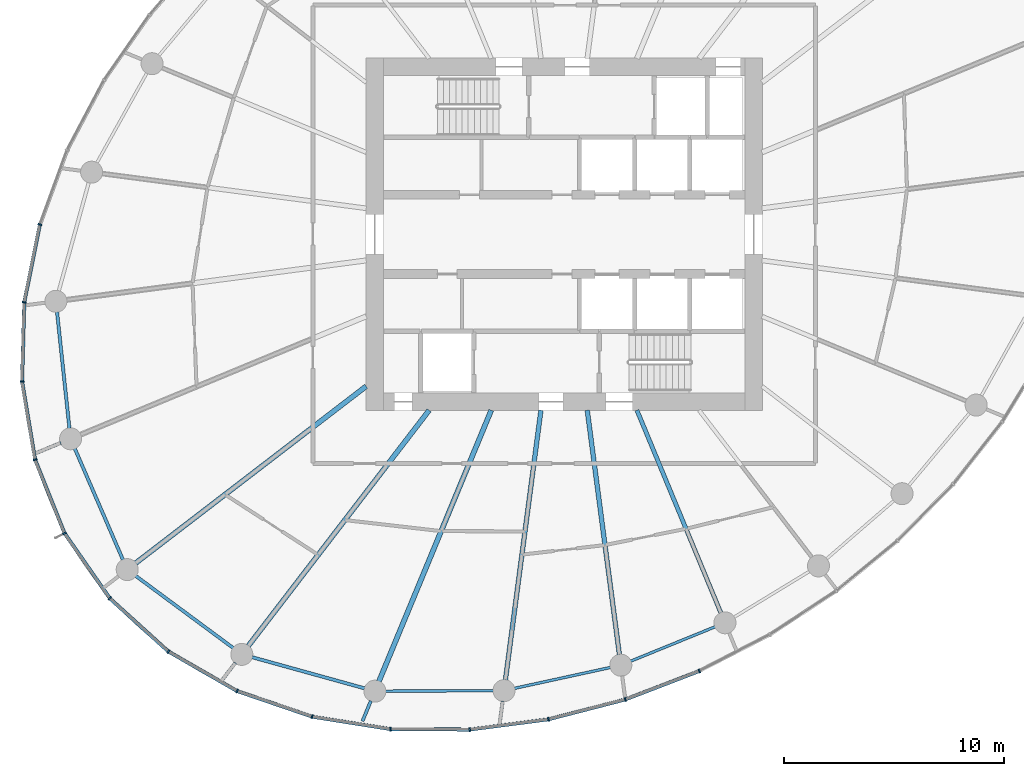
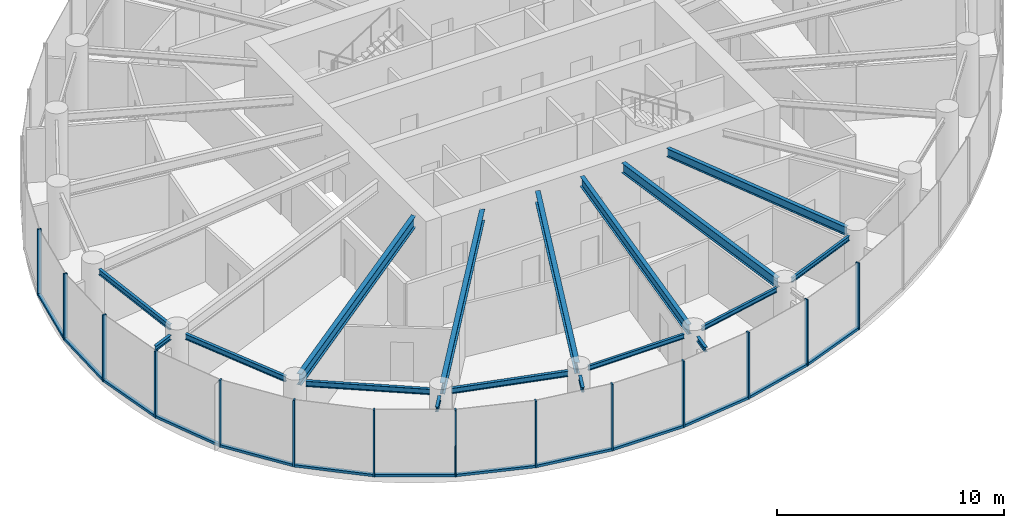
# One storey, part 2 of 14: 27 members, 17 beams, 3 elements without a shape of their own.
"""IFC4 building model written with IfcOpenShell, lengths in metres."""

from ifc_helpers import new_model, si_unit, direction, frame, origin, origin_2d, place, context, subcontext, project, spatial, rectangle, i_section, extrude, source, transform, mapped, material, layer, layer_set, material_profile, profile_set, type_object, element, aggregate, save


model = new_model("IFC4")

# Units and contexts
model_context = context("Model", 3, precision=1e-05, world=origin(), true_north=direction((0.0, 1.0)))
body_context = subcontext(model_context, "Body", "Model", "MODEL_VIEW")
ifc_project = project(units=[si_unit("LENGTHUNIT", "METRE"), si_unit("AREAUNIT", "SQUARE_METRE"), si_unit("VOLUMEUNIT", "CUBIC_METRE"), si_unit("PLANEANGLEUNIT", "RADIAN"), si_unit("MASSUNIT", "GRAM", prefix="KILO")], contexts=[model_context])

# Site, building, storey
site_placement = place(None, origin())
site = spatial("IfcSite", under=ifc_project, at=site_placement, CompositionType="ELEMENT")
building_placement = place(site_placement, origin())
building = spatial("IfcBuilding", under=site, at=building_placement, Name="Spindrift Exchange Tower", CompositionType="ELEMENT")
storey_placement = place(building_placement, frame((0.0, 0.0, 152.60009765625)))
storey = spatial("IfcBuildingStorey", under=building, at=storey_placement, Name="L36", CompositionType="ELEMENT", Elevation=152.60009765625)

# Beams
ifc_material_1 = material(Name="Steel Grade 300", Category="steel")
ifc_material_profile_1 = material_profile(ifc_material_1, i_section(OverallWidth=0.14599609375, OverallDepth=0.251953125, WebThickness=0.006103515625, FlangeThickness=0.008544921875, FilletRadius=0.011962890625, at=origin_2d()), Name="250UB31.4")
ifc_profile_set_1 = profile_set([ifc_material_profile_1], Name="Steel Grade 300")
beam_type_1 = type_object("IfcBeamType", Name="Cantilever Beam 250UB31.4 Steel Grade 300", PredefinedType="BEAM", material=ifc_profile_set_1)
shared_shape_1 = source(origin(), body_context, "Body", "SweptSolid", [
    extrude(i_section(OverallWidth=0.14599609375, OverallDepth=0.251953125, WebThickness=0.006103515625, FlangeThickness=0.008544921875, FilletRadius=0.011962890625, at=origin_2d()), origin(), (0.0, 0.0, 1.0), 0.92138671875),
])
beam_1_placement = place(storey_placement, frame((37.0830078125, 28.559814453125, 3.453857421875), z_axis=(-0.60869854627, -0.793401587955, 0.0), x_axis=(0.793401587955, -0.60869854627, 0.0)))
element("IfcBeam", 1, at=beam_1_placement, inside=storey, type_object=beam_type_1, Name="L36 cantilever beam R16T", PredefinedType="BEAM", context=body_context, shape_type="MappedRepresentation", body=[
    mapped(shared_shape_1, transform((0.0, 0.0, 0.0), scale=1.0)),
])
ifc_material_profile_2 = material_profile(ifc_material_1, i_section(OverallWidth=0.14892578125, OverallDepth=0.298095703125, WebThickness=0.005615234375, FlangeThickness=0.008056640625, FilletRadius=0.012939453125, at=origin_2d()), Name="310UB32.0")
ifc_profile_set_2 = profile_set([ifc_material_profile_2], Name="Steel Grade 300")
beam_type_2 = type_object("IfcBeamType", Name="Edge Beam 310UB32.0 Steel Grade 300", PredefinedType="SPANDREL", material=ifc_profile_set_2)
shared_shape_2 = source(origin(), body_context, "Body", "SweptSolid", [
    extrude(i_section(OverallWidth=0.14892578125, OverallDepth=0.298095703125, WebThickness=0.005615234375, FlangeThickness=0.008056640625, FilletRadius=0.012939453125, at=origin_2d()), origin(), (0.0, 0.0, 1.0), 5.31640625),
])
beam_2_placement = place(storey_placement, frame((28.989013671875, 44.486572265625, 3.430908203125), z_axis=(0.10598990948, -0.994367205357, 0.0), x_axis=(0.994367205357, 0.10598990948, 0.0)))
element("IfcBeam", 2, at=beam_2_placement, inside=storey, type_object=beam_type_2, Name="L36 edge beam E13", PredefinedType="SPANDREL", context=body_context, shape_type="MappedRepresentation", body=[
    mapped(shared_shape_2, transform((0.0, 0.0, 0.0), scale=1.0)),
])
shared_shape_3 = source(origin(), body_context, "Body", "SweptSolid", [
    extrude(i_section(OverallWidth=0.14892578125, OverallDepth=0.298095703125, WebThickness=0.005615234375, FlangeThickness=0.008056640625, FilletRadius=0.012939453125, at=origin_2d()), origin(), (0.0, 0.0, 1.0), 5.508544921875),
])
beam_3_placement = place(storey_placement, frame((29.794189453125, 38.282470703125, 3.430908203125), z_axis=(0.397414644433, -0.917639144975, 0.0), x_axis=(0.917639144975, 0.397414644433, 0.0)))
element("IfcBeam", 3, at=beam_3_placement, inside=storey, type_object=beam_type_2, Name="L36 edge beam E14", PredefinedType="SPANDREL", context=body_context, shape_type="MappedRepresentation", body=[
    mapped(shared_shape_3, transform((0.0, 0.0, 0.0), scale=1.0)),
])
shared_shape_4 = source(origin(), body_context, "Body", "SweptSolid", [
    extrude(i_section(OverallWidth=0.14892578125, OverallDepth=0.298095703125, WebThickness=0.005615234375, FlangeThickness=0.008056640625, FilletRadius=0.012939453125, at=origin_2d()), origin(), (0.0, 0.0, 1.0), 5.509033203125),
])
beam_4_placement = place(storey_placement, frame((32.56005859375, 32.501708984375, 3.430908203125), z_axis=(0.803991901791, -0.594640245741, 0.0), x_axis=(0.594640245741, 0.803991901791, 0.0)))
element("IfcBeam", 4, at=beam_4_placement, inside=storey, type_object=beam_type_2, Name="L36 edge beam E15", PredefinedType="SPANDREL", context=body_context, shape_type="MappedRepresentation", body=[
    mapped(shared_shape_4, transform((0.0, 0.0, 0.0), scale=1.0)),
])
shared_shape_5 = source(origin(), body_context, "Body", "SweptSolid", [
    extrude(i_section(OverallWidth=0.14892578125, OverallDepth=0.298095703125, WebThickness=0.005615234375, FlangeThickness=0.008056640625, FilletRadius=0.012939453125, at=origin_2d()), origin(), (0.0, 0.0, 1.0), 5.30517578125),
])
beam_5_placement = place(storey_placement, frame((37.837646484375, 28.8125, 3.430908203125), z_axis=(0.963757513624, -0.26677978734, 0.0), x_axis=(0.26677978734, 0.963757513624, 0.0)))
element("IfcBeam", 5, at=beam_5_placement, inside=storey, type_object=beam_type_2, Name="L36 edge beam E16", PredefinedType="SPANDREL", context=body_context, shape_type="MappedRepresentation", body=[
    mapped(shared_shape_5, transform((0.0, 0.0, 0.0), scale=1.0)),
])
ifc_material_profile_3 = material_profile(ifc_material_1, i_section(OverallWidth=0.1240234375, OverallDepth=0.248046875, WebThickness=0.0048828125, FlangeThickness=0.008056640625, FilletRadius=0.011962890625, at=origin_2d()), Name="250UB25.7")
ifc_profile_set_3 = profile_set([ifc_material_profile_3], Name="Steel Grade 300")
beam_type_3 = type_object("IfcBeamType", Name="Edge Beam 250UB25.7 Steel Grade 300", PredefinedType="SPANDREL", material=ifc_profile_set_3)
shared_shape_6 = source(origin(), body_context, "Body", "SweptSolid", [
    extrude(i_section(OverallWidth=0.1240234375, OverallDepth=0.248046875, WebThickness=0.0048828125, FlangeThickness=0.008056640625, FilletRadius=0.011962890625, at=origin_2d()), origin(), (0.0, 0.0, 1.0), 4.901123046875),
])
beam_6_placement = place(storey_placement, frame((43.89306640625, 27.271240234375, 3.455810546875), z_axis=(0.999990609444, 0.004333707747, 0.0), x_axis=(-0.004333707747, 0.999990609444, 0.0)))
element("IfcBeam", 6, at=beam_6_placement, inside=storey, type_object=beam_type_3, Name="L36 edge beam E17", PredefinedType="SPANDREL", context=body_context, shape_type="MappedRepresentation", body=[
    mapped(shared_shape_6, transform((0.0, 0.0, 0.0), scale=1.0)),
])
shared_shape_7 = source(origin(), body_context, "Body", "SweptSolid", [
    extrude(i_section(OverallWidth=0.1240234375, OverallDepth=0.248046875, WebThickness=0.0048828125, FlangeThickness=0.008056640625, FilletRadius=0.011962890625, at=origin_2d()), origin(), (0.0, 0.0, 1.0), 4.464111328125),
])
beam_7_placement = place(storey_placement, frame((49.7431640625, 27.396728515625, 3.455810546875), z_axis=(0.977095837978, 0.212799726048, 0.0), x_axis=(-0.212799726048, 0.977095837978, 0.0)))
element("IfcBeam", 7, at=beam_7_placement, inside=storey, type_object=beam_type_3, Name="L36 edge beam E18", PredefinedType="SPANDREL", context=body_context, shape_type="MappedRepresentation", body=[
    mapped(shared_shape_7, transform((0.0, 0.0, 0.0), scale=1.0)),
])
shared_shape_8 = source(origin(), body_context, "Body", "SweptSolid", [
    extrude(i_section(OverallWidth=0.1240234375, OverallDepth=0.248046875, WebThickness=0.0048828125, FlangeThickness=0.008056640625, FilletRadius=0.011962890625, at=origin_2d()), origin(), (0.0, 0.0, 1.0), 4.143798828125),
])
beam_8_placement = place(storey_placement, frame((55.0185546875, 28.6298828125, 3.455810546875), z_axis=(0.926113706975, 0.377244485385, 0.0), x_axis=(-0.377244485385, 0.926113706975, 0.0)))
element("IfcBeam", 8, at=beam_8_placement, inside=storey, type_object=beam_type_3, Name="L36 edge beam E19", PredefinedType="SPANDREL", context=body_context, shape_type="MappedRepresentation", body=[
    mapped(shared_shape_8, transform((0.0, 0.0, 0.0), scale=1.0)),
])
ifc_material_profile_4 = material_profile(ifc_material_1, i_section(OverallWidth=0.22802734375, OverallDepth=0.60205078125, WebThickness=0.010498046875, FlangeThickness=0.014892578125, FilletRadius=0.013916015625, at=origin_2d()), Name="610UB101")
ifc_profile_set_4 = profile_set([ifc_material_profile_4], Name="Steel Grade 300")
beam_type_4 = type_object("IfcBeamType", Name="Floor Beam 610UB101 Steel Grade 300", PredefinedType="BEAM", material=ifc_profile_set_4)
shared_shape_9 = source(origin(), body_context, "Body", "SweptSolid", [
    extrude(i_section(OverallWidth=0.22802734375, OverallDepth=0.60205078125, WebThickness=0.010498046875, FlangeThickness=0.014892578125, FilletRadius=0.013916015625, at=origin_2d()), origin(), (0.0, 0.0, 1.0), 13.185546875),
])
beam_9_placement = place(storey_placement, frame((43.015869140625, 41.106201171875, 3.27880859375), z_axis=(-0.793357156703, -0.608756455332, 0.0), x_axis=(0.608756455332, -0.793357156703, 0.0)))
element("IfcBeam", 9, at=beam_9_placement, inside=storey, type_object=beam_type_4, Name="L36 radial beam R15A", PredefinedType="BEAM", context=body_context, shape_type="MappedRepresentation", body=[
    mapped(shared_shape_9, transform((0.0, 0.0, 0.0), scale=1.0)),
])
shared_shape_10 = source(origin(), body_context, "Body", "SweptSolid", [
    extrude(i_section(OverallWidth=0.22802734375, OverallDepth=0.60205078125, WebThickness=0.010498046875, FlangeThickness=0.014892578125, FilletRadius=0.013916015625, at=origin_2d()), origin(), (0.0, 0.0, 1.0), 13.480224609375),
])
beam_10_placement = place(storey_placement, frame((45.87353515625, 40.015869140625, 3.27880859375), z_axis=(-0.608764179541, -0.793351229726, 0.0), x_axis=(0.793351229726, -0.608764179541, 0.0)))
element("IfcBeam", 10, at=beam_10_placement, inside=storey, type_object=beam_type_4, Name="L36 radial beam R16A", PredefinedType="BEAM", context=body_context, shape_type="MappedRepresentation", body=[
    mapped(shared_shape_10, transform((0.0, 0.0, 0.0), scale=1.0)),
])
shared_shape_11 = source(origin(), body_context, "Body", "SweptSolid", [
    extrude(i_section(OverallWidth=0.22802734375, OverallDepth=0.60205078125, WebThickness=0.010498046875, FlangeThickness=0.014892578125, FilletRadius=0.013916015625, at=origin_2d()), origin(), (0.0, 0.0, 1.0), 13.31982421875),
])
beam_11_placement = place(storey_placement, frame((48.69384765625, 40.0185546875, 3.27880859375), z_axis=(-0.382676632888, -0.923882348918, 0.0), x_axis=(0.923882348918, -0.382676632888, 0.0)))
element("IfcBeam", 11, at=beam_11_placement, inside=storey, type_object=beam_type_4, Name="L36 radial beam R17A", PredefinedType="BEAM", context=body_context, shape_type="MappedRepresentation", body=[
    mapped(shared_shape_11, transform((0.0, 0.0, 0.0), scale=1.0)),
])
ifc_material_profile_5 = material_profile(ifc_material_1, i_section(OverallWidth=0.208984375, OverallDepth=0.528076171875, WebThickness=0.009521484375, FlangeThickness=0.01318359375, FilletRadius=0.013916015625, at=origin_2d()), Name="530UB82.0")
ifc_profile_set_5 = profile_set([ifc_material_profile_5], Name="Steel Grade 300")
beam_type_5 = type_object("IfcBeamType", Name="Floor Beam 530UB82.0 Steel Grade 300", PredefinedType="BEAM", material=ifc_profile_set_5)
shared_shape_12 = source(origin(), body_context, "Body", "SweptSolid", [
    extrude(i_section(OverallWidth=0.208984375, OverallDepth=0.528076171875, WebThickness=0.009521484375, FlangeThickness=0.01318359375, FilletRadius=0.013916015625, at=origin_2d()), origin(), (0.0, 0.0, 1.0), 12.35498046875),
])
beam_12_placement = place(storey_placement, frame((50.949462890625, 40.019775390625, 3.31591796875), z_axis=(-0.130537831721, -0.991443328935, 0.0), x_axis=(0.991443328935, -0.130537831721, 0.0)))
element("IfcBeam", 12, at=beam_12_placement, inside=storey, type_object=beam_type_5, Name="L36 radial beam R18A", PredefinedType="BEAM", context=body_context, shape_type="MappedRepresentation", body=[
    mapped(shared_shape_12, transform((0.0, 0.0, 0.0), scale=1.0)),
])
shared_shape_13 = source(origin(), body_context, "Body", "SweptSolid", [
    extrude(i_section(OverallWidth=0.208984375, OverallDepth=0.528076171875, WebThickness=0.009521484375, FlangeThickness=0.01318359375, FilletRadius=0.013916015625, at=origin_2d()), origin(), (0.0, 0.0, 1.0), 11.19091796875),
])
beam_13_placement = place(storey_placement, frame((53.050537109375, 40.019775390625, 3.31591796875), z_axis=(0.130524489434, -0.991445085548, 0.0), x_axis=(0.991445085548, 0.130524489434, 0.0)))
element("IfcBeam", 13, at=beam_13_placement, inside=storey, type_object=beam_type_5, Name="L36 radial beam R19A", PredefinedType="BEAM", context=body_context, shape_type="MappedRepresentation", body=[
    mapped(shared_shape_13, transform((0.0, 0.0, 0.0), scale=1.0)),
])
ifc_material_profile_6 = material_profile(ifc_material_1, i_section(OverallWidth=0.18994140625, OverallDepth=0.4541015625, WebThickness=0.008544921875, FlangeThickness=0.0126953125, FilletRadius=0.013916015625, at=origin_2d()), Name="460UB67.1")
ifc_profile_set_6 = profile_set([ifc_material_profile_6], Name="Steel Grade 300")
beam_type_6 = type_object("IfcBeamType", Name="Floor Beam 460UB67.1 Steel Grade 300", PredefinedType="BEAM", material=ifc_profile_set_6)
shared_shape_14 = source(origin(), body_context, "Body", "SweptSolid", [
    extrude(i_section(OverallWidth=0.18994140625, OverallDepth=0.4541015625, WebThickness=0.008544921875, FlangeThickness=0.0126953125, FilletRadius=0.013916015625, at=origin_2d()), origin(), (0.0, 0.0, 1.0), 9.958984375),
])
beam_14_placement = place(storey_placement, frame((55.30615234375, 40.0185546875, 3.352783203125), z_axis=(0.382673670509, -0.923883575944, 0.0), x_axis=(0.923883575944, 0.382673670509, 0.0)))
element("IfcBeam", 14, at=beam_14_placement, inside=storey, type_object=beam_type_6, Name="L36 radial beam R20A", PredefinedType="BEAM", context=body_context, shape_type="MappedRepresentation", body=[
    mapped(shared_shape_14, transform((0.0, 0.0, 0.0), scale=1.0)),
])
shared_shape_15 = source(origin(), body_context, "Body", "SweptSolid", [
    extrude(i_section(OverallWidth=0.14599609375, OverallDepth=0.251953125, WebThickness=0.006103515625, FlangeThickness=0.008544921875, FilletRadius=0.011962890625, at=origin_2d()), origin(), (0.0, 0.0, 1.0), 1.1044921875),
])
beam_15_placement = place(storey_placement, frame((29.159912109375, 38.539306640625, 3.453857421875), z_axis=(-0.923911779543, -0.382605571864, 0.0), x_axis=(0.382605571864, -0.923911779543, 0.0)))
element("IfcBeam", 15, at=beam_15_placement, inside=storey, type_object=beam_type_1, Name="L36 cantilever beam R14T", PredefinedType="BEAM", context=body_context, shape_type="MappedRepresentation", body=[
    mapped(shared_shape_15, transform((0.0, 0.0, 0.0), scale=1.0)),
])
shared_shape_16 = source(origin(), body_context, "Body", "SweptSolid", [
    extrude(i_section(OverallWidth=0.14599609375, OverallDepth=0.251953125, WebThickness=0.006103515625, FlangeThickness=0.008544921875, FilletRadius=0.011962890625, at=origin_2d()), origin(), (0.0, 0.0, 1.0), 0.99267578125),
])
beam_16_placement = place(storey_placement, frame((43.229248046875, 26.82568359375, 3.453857421875), z_axis=(-0.382728331332, -0.923860933472, 0.0), x_axis=(0.923860933472, -0.382728331332, 0.0)))
element("IfcBeam", 16, at=beam_16_placement, inside=storey, type_object=beam_type_1, Name="L36 cantilever beam R17T", PredefinedType="BEAM", context=body_context, shape_type="MappedRepresentation", body=[
    mapped(shared_shape_16, transform((0.0, 0.0, 0.0), scale=1.0)),
])
shared_shape_17 = source(origin(), body_context, "Body", "SweptSolid", [
    extrude(i_section(OverallWidth=0.14599609375, OverallDepth=0.251953125, WebThickness=0.006103515625, FlangeThickness=0.008544921875, FilletRadius=0.011962890625, at=origin_2d()), origin(), (0.0, 0.0, 1.0), 0.951416015625),
])
beam_17_placement = place(storey_placement, frame((49.21142578125, 26.81884765625, 3.453857421875), z_axis=(-0.13060053092, -0.991435071663, 0.0), x_axis=(0.991435071663, -0.13060053092, 0.0)))
element("IfcBeam", 17, at=beam_17_placement, inside=storey, type_object=beam_type_1, Name="L36 cantilever beam R18T", PredefinedType="BEAM", context=body_context, shape_type="MappedRepresentation", body=[
    mapped(shared_shape_17, transform((0.0, 0.0, 0.0), scale=1.0)),
])

# Curtain wall, members
ifc_material_2 = material(Name="Fritted laminated glass with bronze frame", Category="glass")
ifc_layer = layer(ifc_material_2, 0.179931640625)
ifc_layer_set = layer_set([ifc_layer], Name="ZONE 3 BRONZE FRITTED WALL")
curtain_wall_type = type_object("IfcCurtainWallType", Name="ZONE 3 BRONZE FRITTED WALL", PredefinedType="NOTDEFINED", material=ifc_layer_set)
curtain_wall_1_placement = place(storey_placement, origin())
curtain_wall_1 = element("IfcCurtainWall", 18, at=curtain_wall_1_placement, inside=storey, type_object=curtain_wall_type, Name="L36 Zone 3 Bronze Fritted Wall run 3", PredefinedType="NOTDEFINED")
ifc_material_3 = material(Name="Bronze anodised aluminium", Category="aluminium")
ifc_material_profile_7 = material_profile(ifc_material_3, rectangle(XDim=0.070068359375, YDim=0.179931640625, at=origin_2d()), Name="ZONE 3 BRONZE FRITTED WALL MULLION 70X180")
ifc_profile_set_7 = profile_set([ifc_material_profile_7], Name="Bronze anodised aluminium")
member_type_1 = type_object("IfcMemberType", Name="ZONE 3 BRONZE FRITTED WALL MULLION 70X180", PredefinedType="MULLION", material=ifc_profile_set_7)
shared_shape_18 = source(origin(), body_context, "Body", "SweptSolid", [
    extrude(rectangle(XDim=0.070068359375, YDim=0.179931640625, at=origin_2d()), origin(), (0.0, 0.0, 1.0), 3.579833984375),
])
member_1_placement = place(storey_placement, frame((28.210693359375, 48.444091796875, 0.0), z_axis=(0.0, 0.0, 1.0), x_axis=(-0.271141942713, -0.962539374208, 0.0)))
member_1 = element("IfcMember", 19, at=member_1_placement, type_object=member_type_1, Name="L36 mullion CW-3.17", PredefinedType="MULLION", context=body_context, shape_type="MappedRepresentation", body=[
    mapped(shared_shape_18, transform((0.0, 0.0, 0.0), scale=1.0)),
])
member_2_placement = place(storey_placement, frame((27.499755859375, 44.91650390625, 0.0), z_axis=(0.0, 0.0, 1.0), x_axis=(-0.112972174555, -0.99359815206, 0.0)))
member_2 = element("IfcMember", 20, at=member_2_placement, type_object=member_type_1, Name="L36 mullion CW-3.18", PredefinedType="MULLION", context=body_context, shape_type="MappedRepresentation", body=[
    mapped(shared_shape_18, transform((0.0, 0.0, 0.0), scale=1.0)),
])

curtain_wall_2_placement = place(storey_placement, origin())
curtain_wall_2 = element("IfcCurtainWall", 21, at=curtain_wall_2_placement, inside=storey, type_object=curtain_wall_type, Name="L36 Zone 3 Bronze Fritted Wall run 4", PredefinedType="NOTDEFINED")
member_3_placement = place(storey_placement, frame((27.400634765625, 41.3203125, 0.0), z_axis=(0.0, 0.0, 1.0), x_axis=(0.069178379237, -0.997604306249, 0.0)))
member_3 = element("IfcMember", 22, at=member_3_placement, type_object=member_type_1, Name="L36 mullion CW-3.19", PredefinedType="MULLION", context=body_context, shape_type="MappedRepresentation", body=[
    mapped(shared_shape_18, transform((0.0, 0.0, 0.0), scale=1.0)),
])
member_4_placement = place(storey_placement, frame((27.994873046875, 37.7734375, 0.0), z_axis=(0.0, 0.0, 1.0), x_axis=(0.269716979127, -0.962939640461, 0.0)))
member_4 = element("IfcMember", 23, at=member_4_placement, type_object=member_type_1, Name="L36 mullion CW-3.20", PredefinedType="MULLION", context=body_context, shape_type="MappedRepresentation", body=[
    mapped(shared_shape_18, transform((0.0, 0.0, 0.0), scale=1.0)),
])
member_5_placement = place(storey_placement, frame((29.3291015625, 34.43505859375, 0.0), z_axis=(0.0, 0.0, 1.0), x_axis=(0.473923194612, -0.880566184684, 0.0)))
member_5 = element("IfcMember", 24, at=member_5_placement, type_object=member_type_1, Name="L36 mullion CW-3.21", PredefinedType="MULLION", context=body_context, shape_type="MappedRepresentation", body=[
    mapped(shared_shape_18, transform((0.0, 0.0, 0.0), scale=1.0)),
])
member_6_placement = place(storey_placement, frame((31.38037109375, 31.483154296875, 0.0), z_axis=(0.0, 0.0, 1.0), x_axis=(0.660005940021, -0.751260380386, 0.0)))
member_6 = element("IfcMember", 25, at=member_6_placement, type_object=member_type_1, Name="L36 mullion CW-3.22", PredefinedType="MULLION", context=body_context, shape_type="MappedRepresentation", body=[
    mapped(shared_shape_18, transform((0.0, 0.0, 0.0), scale=1.0)),
])
member_7_placement = place(storey_placement, frame((34.043701171875, 29.068359375, 0.0), z_axis=(0.0, 0.0, 1.0), x_axis=(0.808422251521, -0.588602975906, 0.0)))
member_7 = element("IfcMember", 26, at=member_7_placement, type_object=member_type_1, Name="L36 mullion CW-3.23", PredefinedType="MULLION", context=body_context, shape_type="MappedRepresentation", body=[
    mapped(shared_shape_18, transform((0.0, 0.0, 0.0), scale=1.0)),
])
member_8_placement = place(storey_placement, frame((37.16064453125, 27.274658203125, 0.0), z_axis=(0.0, 0.0, 1.0), x_axis=(0.91084732205, -0.41274345048, 0.0)))
member_8 = element("IfcMember", 27, at=member_8_placement, type_object=member_type_1, Name="L36 mullion CW-3.24", PredefinedType="MULLION", context=body_context, shape_type="MappedRepresentation", body=[
    mapped(shared_shape_18, transform((0.0, 0.0, 0.0), scale=1.0)),
])

curtain_wall_3_placement = place(storey_placement, origin())
curtain_wall_3 = element("IfcCurtainWall", 28, at=curtain_wall_3_placement, inside=storey, type_object=curtain_wall_type, Name="L36 Zone 3 Bronze Fritted Wall run 5", PredefinedType="NOTDEFINED")
member_9_placement = place(storey_placement, frame((40.565673828125, 26.11328125, 0.0), z_axis=(0.0, 0.0, 1.0), x_axis=(0.970613508199, -0.24064375683, 0.0)))
member_9 = element("IfcMember", 29, at=member_9_placement, type_object=member_type_1, Name="L36 mullion CW-3.25", PredefinedType="MULLION", context=body_context, shape_type="MappedRepresentation", body=[
    mapped(shared_shape_18, transform((0.0, 0.0, 0.0), scale=1.0)),
])
member_10_placement = place(storey_placement, frame((44.119873046875, 25.54931640625, 0.0), z_axis=(0.0, 0.0, 1.0), x_axis=(0.996668854558, -0.081554854875, 0.0)))
member_10 = element("IfcMember", 30, at=member_10_placement, type_object=member_type_1, Name="L36 mullion CW-3.26", PredefinedType="MULLION", context=body_context, shape_type="MappedRepresentation", body=[
    mapped(shared_shape_18, transform((0.0, 0.0, 0.0), scale=1.0)),
])
member_11_placement = place(storey_placement, frame((47.719482421875, 25.52783203125, 0.0), z_axis=(0.0, 0.0, 1.0), x_axis=(0.998096664735, 0.061668856358, 0.0)))
member_11 = element("IfcMember", 31, at=member_11_placement, type_object=member_type_1, Name="L36 mullion CW-3.27", PredefinedType="MULLION", context=body_context, shape_type="MappedRepresentation", body=[
    mapped(shared_shape_18, transform((0.0, 0.0, 0.0), scale=1.0)),
])
member_12_placement = place(storey_placement, frame((51.289306640625, 25.9921875, 0.0), z_axis=(0.0, 0.0, 1.0), x_axis=(0.98183097224, 0.189757587334, 0.0)))
member_12 = element("IfcMember", 32, at=member_12_placement, type_object=member_type_1, Name="L36 mullion CW-3.28", PredefinedType="MULLION", context=body_context, shape_type="MappedRepresentation", body=[
    mapped(shared_shape_18, transform((0.0, 0.0, 0.0), scale=1.0)),
])
member_13_placement = place(storey_placement, frame((54.775634765625, 26.8916015625, 0.0), z_axis=(0.0, 0.0, 1.0), x_axis=(0.952440565726, 0.304724414446, 0.0)))
member_13 = element("IfcMember", 33, at=member_13_placement, type_object=member_type_1, Name="L36 mullion CW-3.29", PredefinedType="MULLION", context=body_context, shape_type="MappedRepresentation", body=[
    mapped(shared_shape_18, transform((0.0, 0.0, 0.0), scale=1.0)),
])
member_14_placement = place(storey_placement, frame((58.13671875, 28.18310546875, 0.0), z_axis=(0.0, 0.0, 1.0), x_axis=(0.912619328962, 0.408810421106, 0.0)))
member_14 = element("IfcMember", 34, at=member_14_placement, type_object=member_type_1, Name="L36 mullion CW-3.30", PredefinedType="MULLION", context=body_context, shape_type="MappedRepresentation", body=[
    mapped(shared_shape_18, transform((0.0, 0.0, 0.0), scale=1.0)),
])
ifc_material_profile_8 = material_profile(ifc_material_3, rectangle(XDim=0.159912109375, YDim=0.1298828125, at=origin_2d()), Name="ZONE 3 BRONZE FRITTED WALL TRANSOM 160X130")
ifc_profile_set_8 = profile_set([ifc_material_profile_8], Name="Bronze anodised aluminium")
member_type_2 = type_object("IfcMemberType", Name="ZONE 3 BRONZE FRITTED WALL TRANSOM 160X130", PredefinedType="USERDEFINED", material=ifc_profile_set_8)
shared_shape_19 = source(origin(), body_context, "Body", "SweptSolid", [
    extrude(rectangle(XDim=0.159912109375, YDim=0.1298828125, at=origin_2d()), origin(), (0.0, 0.0, 1.0), 3.53076171875),
])
member_15_placement = place(storey_placement, frame((54.808349609375, 26.904296875, 0.06494140625), z_axis=(0.933468516944, 0.358659347955, 0.0), x_axis=(-0.358659347955, 0.933468516944, 0.0)))
member_15 = element("IfcMember", 35, at=member_15_placement, type_object=member_type_2, Name="L36 transom CW-3.29", ObjectType="TRANSOM", PredefinedType="USERDEFINED", context=body_context, shape_type="MappedRepresentation", body=[
    mapped(shared_shape_19, transform((0.0, 0.0, 0.0), scale=1.0)),
])

# Member
shared_shape_20 = source(origin(), body_context, "Body", "SweptSolid", [
    extrude(rectangle(XDim=0.159912109375, YDim=0.1298828125, at=origin_2d()), origin(), (0.0, 0.0, 1.0), 3.52880859375),
])
member_16_placement = place(storey_placement, frame((28.203857421875, 48.409912109375, 0.06494140625), z_axis=(-0.197592749277, -0.980284196258, 0.0), x_axis=(0.980284196258, -0.197592749277, 0.0)))
member_16 = element("IfcMember", 36, at=member_16_placement, type_object=member_type_2, Name="L36 transom CW-3.17", ObjectType="TRANSOM", PredefinedType="USERDEFINED", context=body_context, shape_type="MappedRepresentation", body=[
    mapped(shared_shape_20, transform((0.0, 0.0, 0.0), scale=1.0)),
])

member_17_placement = place(storey_placement, frame((40.600341796875, 26.107666015625, 0.06494140625), z_axis=(0.987644878604, -0.156708626973, 0.0), x_axis=(0.156708626973, 0.987644878604, 0.0)))
member_17 = element("IfcMember", 37, at=member_17_placement, type_object=member_type_2, Name="L36 transom CW-3.25", ObjectType="TRANSOM", PredefinedType="USERDEFINED", context=body_context, shape_type="MappedRepresentation", body=[
    mapped(shared_shape_20, transform((0.0, 0.0, 0.0), scale=1.0)),
])

shared_shape_21 = source(origin(), body_context, "Body", "SweptSolid", [
    extrude(rectangle(XDim=0.159912109375, YDim=0.1298828125, at=origin_2d()), origin(), (0.0, 0.0, 1.0), 3.525146484375),
])
member_18_placement = place(storey_placement, frame((28.0078125, 37.740966796875, 0.06494140625), z_axis=(0.371080192185, -0.928600824341, 0.0), x_axis=(0.928600824341, 0.371080192185, 0.0)))
member_18 = element("IfcMember", 38, at=member_18_placement, type_object=member_type_2, Name="L36 transom CW-3.20", ObjectType="TRANSOM", PredefinedType="USERDEFINED", context=body_context, shape_type="MappedRepresentation", body=[
    mapped(shared_shape_21, transform((0.0, 0.0, 0.0), scale=1.0)),
])

member_19_placement = place(storey_placement, frame((31.40625, 31.45947265625, 0.06494140625), z_axis=(0.740854473837, -0.671665577945, 0.0), x_axis=(0.671665577945, 0.740854473837, 0.0)))
member_19 = element("IfcMember", 39, at=member_19_placement, type_object=member_type_2, Name="L36 transom CW-3.22", ObjectType="TRANSOM", PredefinedType="USERDEFINED", context=body_context, shape_type="MappedRepresentation", body=[
    mapped(shared_shape_21, transform((0.0, 0.0, 0.0), scale=1.0)),
])

shared_shape_22 = source(origin(), body_context, "Body", "SweptSolid", [
    extrude(rectangle(XDim=0.159912109375, YDim=0.1298828125, at=origin_2d()), origin(), (0.0, 0.0, 1.0), 3.530517578125),
])
member_20_placement = place(storey_placement, frame((51.3232421875, 26.0009765625, 0.06494140625), z_axis=(0.968284339856, 0.249850829874, 0.0), x_axis=(-0.249850829874, 0.968284339856, 0.0)))
member_20 = element("IfcMember", 40, at=member_20_placement, type_object=member_type_2, Name="L36 transom CW-3.28", ObjectType="TRANSOM", PredefinedType="USERDEFINED", context=body_context, shape_type="MappedRepresentation", body=[
    mapped(shared_shape_22, transform((0.0, 0.0, 0.0), scale=1.0)),
])

shared_shape_23 = source(origin(), body_context, "Body", "SweptSolid", [
    extrude(rectangle(XDim=0.159912109375, YDim=0.1298828125, at=origin_2d()), origin(), (0.0, 0.0, 1.0), 3.530029296875),
])
member_21_placement = place(storey_placement, frame((47.754150390625, 25.532470703125, 0.06494140625), z_axis=(0.991646242574, 0.128987323365, 0.0), x_axis=(-0.128987323365, 0.991646242574, 0.0)))
member_21 = element("IfcMember", 41, at=member_21_placement, type_object=member_type_2, Name="L36 transom CW-3.27", ObjectType="TRANSOM", PredefinedType="USERDEFINED", context=body_context, shape_type="MappedRepresentation", body=[
    mapped(shared_shape_23, transform((0.0, 0.0, 0.0), scale=1.0)),
])

shared_shape_24 = source(origin(), body_context, "Body", "SweptSolid", [
    extrude(rectangle(XDim=0.159912109375, YDim=0.1298828125, at=origin_2d()), origin(), (0.0, 0.0, 1.0), 3.529541015625),
])
member_22_placement = place(storey_placement, frame((44.15478515625, 25.549072265625, 0.06494140625), z_axis=(0.9999823071, -0.005948570133, 0.0), x_axis=(0.005948570133, 0.9999823071, 0.0)))
member_22 = element("IfcMember", 42, at=member_22_placement, type_object=member_type_2, Name="L36 transom CW-3.26", ObjectType="TRANSOM", PredefinedType="USERDEFINED", context=body_context, shape_type="MappedRepresentation", body=[
    mapped(shared_shape_24, transform((0.0, 0.0, 0.0), scale=1.0)),
])

aggregate(curtain_wall_3, [member_9, member_17, member_10, member_22, member_11, member_21, member_12, member_20, member_13, member_15, member_14])

shared_shape_25 = source(origin(), body_context, "Body", "SweptSolid", [
    extrude(rectangle(XDim=0.159912109375, YDim=0.1298828125, at=origin_2d()), origin(), (0.0, 0.0, 1.0), 3.524658203125),
])
member_23_placement = place(storey_placement, frame((29.348876953125, 34.40625, 0.06494140625), z_axis=(0.570693033655, -0.821163480275, 0.0), x_axis=(0.821163480275, 0.570693033655, 0.0)))
member_23 = element("IfcMember", 43, at=member_23_placement, type_object=member_type_2, Name="L36 transom CW-3.21", ObjectType="TRANSOM", PredefinedType="USERDEFINED", context=body_context, shape_type="MappedRepresentation", body=[
    mapped(shared_shape_25, transform((0.0, 0.0, 0.0), scale=1.0)),
])

shared_shape_26 = source(origin(), body_context, "Body", "SweptSolid", [
    extrude(rectangle(XDim=0.159912109375, YDim=0.1298828125, at=origin_2d()), origin(), (0.0, 0.0, 1.0), 3.52734375),
])
member_24_placement = place(storey_placement, frame((27.498779296875, 44.88134765625, 0.06494140625), z_axis=(-0.027546144992, -0.99962053295, 0.0), x_axis=(0.99962053295, -0.027546144992, 0.0)))
member_24 = element("IfcMember", 44, at=member_24_placement, type_object=member_type_2, Name="L36 transom CW-3.18", ObjectType="TRANSOM", PredefinedType="USERDEFINED", context=body_context, shape_type="MappedRepresentation", body=[
    mapped(shared_shape_26, transform((0.0, 0.0, 0.0), scale=1.0)),
])

aggregate(curtain_wall_1, [member_1, member_16, member_2, member_24])

member_25_placement = place(storey_placement, frame((37.19384765625, 27.26318359375, 0.06494140625), z_axis=(0.946466461945, -0.322802162962, 0.0), x_axis=(0.322802162962, 0.946466461945, 0.0)))
member_25 = element("IfcMember", 45, at=member_25_placement, type_object=member_type_2, Name="L36 transom CW-3.24", ObjectType="TRANSOM", PredefinedType="USERDEFINED", context=body_context, shape_type="MappedRepresentation", body=[
    mapped(shared_shape_26, transform((0.0, 0.0, 0.0), scale=1.0)),
])

shared_shape_27 = source(origin(), body_context, "Body", "SweptSolid", [
    extrude(rectangle(XDim=0.159912109375, YDim=0.1298828125, at=origin_2d()), origin(), (0.0, 0.0, 1.0), 3.526123046875),
])
member_26_placement = place(storey_placement, frame((27.406494140625, 41.28564453125, 0.06494140625), z_axis=(0.165196078333, -0.986260744278, 0.0), x_axis=(0.986260744278, 0.165196078333, 0.0)))
member_26 = element("IfcMember", 46, at=member_26_placement, type_object=member_type_2, Name="L36 transom CW-3.19", ObjectType="TRANSOM", PredefinedType="USERDEFINED", context=body_context, shape_type="MappedRepresentation", body=[
    mapped(shared_shape_27, transform((0.0, 0.0, 0.0), scale=1.0)),
])

member_27_placement = place(storey_placement, frame((34.07421875, 29.051025390625, 0.06494140625), z_axis=(0.8666923048, -0.498843110408, 0.0), x_axis=(0.498843110408, 0.8666923048, 0.0)))
member_27 = element("IfcMember", 47, at=member_27_placement, type_object=member_type_2, Name="L36 transom CW-3.23", ObjectType="TRANSOM", PredefinedType="USERDEFINED", context=body_context, shape_type="MappedRepresentation", body=[
    mapped(shared_shape_27, transform((0.0, 0.0, 0.0), scale=1.0)),
])

aggregate(curtain_wall_2, [member_3, member_26, member_4, member_18, member_5, member_23, member_6, member_19, member_7, member_27, member_8, member_25])

save(model, "model.ifc")
